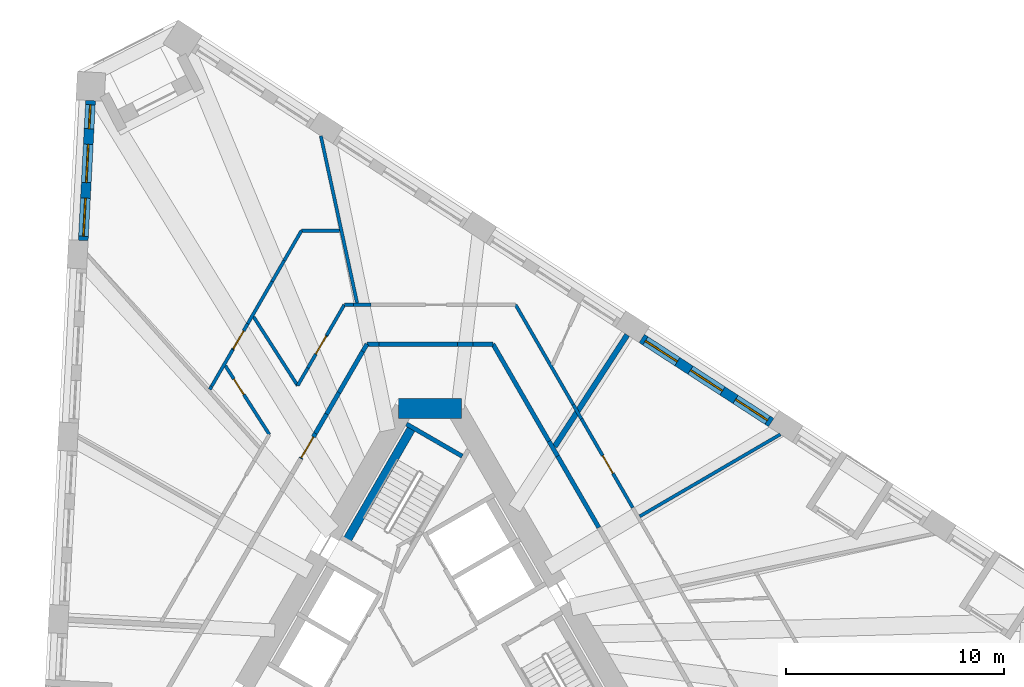
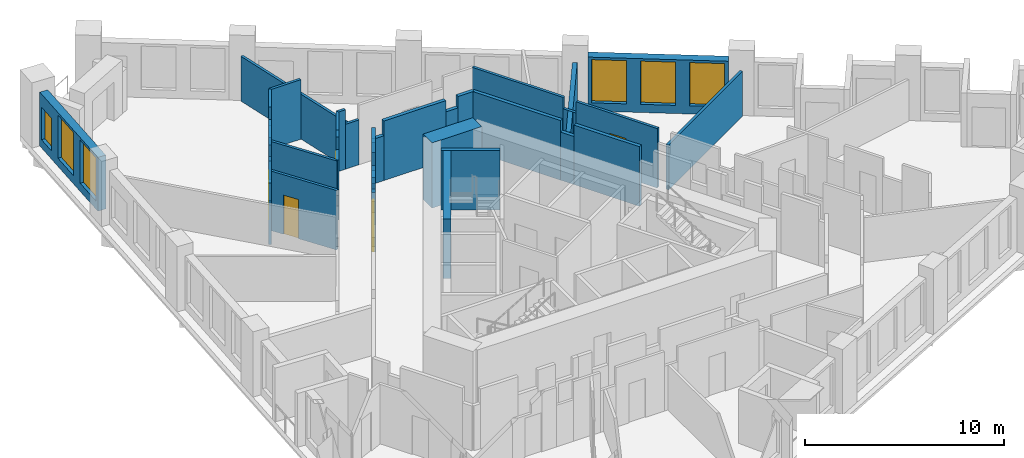
# One storey, part 7 of 12: 37 walls, 6 windows, 5 doors, 11 openings.
"""IFC4 building model written with IfcOpenShell, lengths in metres."""

from ifc_helpers import new_model, si_unit, direction, frame, frame_2d, origin, place, context, subcontext, project, spatial, polyline, rectangle, outline, extrude, material, layer, layer_set, type_object, element, fill, save


model = new_model("IFC4")

# Units and contexts
model_context = context("Model", 3, precision=1e-05, world=origin(), true_north=direction((0.0, 1.0)))
body_context = subcontext(model_context, "Body", "Model", "MODEL_VIEW")
ifc_project = project(units=[si_unit("LENGTHUNIT", "METRE"), si_unit("AREAUNIT", "SQUARE_METRE"), si_unit("VOLUMEUNIT", "CUBIC_METRE"), si_unit("PLANEANGLEUNIT", "RADIAN"), si_unit("MASSUNIT", "GRAM", prefix="KILO")], contexts=[model_context])

# Site, building, storey
site_placement = place(None, origin())
site = spatial("IfcSite", under=ifc_project, at=site_placement, CompositionType="ELEMENT")
building_placement = place(site_placement, origin())
building = spatial("IfcBuilding", under=site, at=building_placement, Name="Tramontana Tower", CompositionType="ELEMENT")
storey_placement = place(building_placement, frame((0.0, 0.0, 129.60009765625)))
storey = spatial("IfcBuildingStorey", under=building, at=storey_placement, Name="L29", CompositionType="ELEMENT", Elevation=129.60009765625)

# Walls
ifc_material_1 = material(Name="Concrete 70 MPa", Category="concrete")
ifc_layer_1 = layer(ifc_material_1, 0.89990234375)
ifc_layer_set_1 = layer_set([ifc_layer_1], Name="Core wall 900 70 MPa")
wall_type_1 = type_object("IfcWallType", Name="Core wall 900 70 MPa", PredefinedType="SHEAR", material=ifc_layer_set_1)
wall_1_placement = place(storey_placement, frame((1.443359375, 10.550048828125, 0.0), z_axis=(0.0, 0.0, 1.0), x_axis=(-1.0, 0.0, 0.0)))
element("IfcWall", 1, at=wall_1_placement, inside=storey, type_object=wall_type_1, Name="Core wall C0 L29", PredefinedType="SHEAR", context=body_context, shape_type="SweptSolid", body=[
    extrude(rectangle(XDim=2.88671875, YDim=0.89990234375, at=frame_2d((1.443359375, 0.0))), origin(), (0.0, 0.0, 1.0), 4.0),
])
ifc_material_2 = material(Name="Blockwork", Category="masonry")
ifc_layer_2 = layer(ifc_material_2, 0.199951171875)
ifc_layer_set_2 = layer_set([ifc_layer_2], Name="ENTRY WALL 200")
wall_type_2 = type_object("IfcWallType", Name="ENTRY WALL 200", PredefinedType="SOLIDWALL", material=ifc_layer_set_2)
wall_2_placement = place(storey_placement, frame((2.88671875, 13.5, 0.0), z_axis=(0.0, 0.0, 1.0), x_axis=(0.50000466804, -0.866022708674, 0.0)))
element("IfcWall", 2, at=wall_2_placement, inside=storey, type_object=wall_type_2, Name="Wall v30-ew0-0", PredefinedType="SOLIDWALL", context=body_context, shape_type="SweptSolid", body=[
    extrude(rectangle(XDim=5.14208984375, YDim=0.199951171875, at=frame_2d((2.571044921875, 0.0))), origin(), (0.0, 0.0, 1.0), 3.64990234375),
])
wall_3_placement = place(storey_placement, frame((5.457763671875, 9.046875, 0.0), z_axis=(0.0, 0.0, 1.0), x_axis=(0.499982474044, -0.866035522163, 0.0)))
element("IfcWall", 3, at=wall_3_placement, inside=storey, type_object=wall_type_2, Name="Wall v30-ew0-1", PredefinedType="SOLIDWALL", context=body_context, shape_type="SweptSolid", body=[
    extrude(rectangle(XDim=0.78564453125, YDim=0.199951171875, at=frame_2d((0.392822265625, 0.0))), origin(), (0.0, 0.0, 1.0), 2.949951171875),
])
wall_4_placement = place(storey_placement, frame((5.8505859375, 8.366455078125, 0.0), z_axis=(0.0, 0.0, 1.0), x_axis=(0.499998034377, -0.866026538634, 0.0)))
element("IfcWall", 4, at=wall_4_placement, inside=storey, type_object=wall_type_2, Name="Wall v30-ew0-2", PredefinedType="SOLIDWALL", context=body_context, shape_type="SweptSolid", body=[
    extrude(rectangle(XDim=3.783203125, YDim=0.199951171875, at=frame_2d((1.8916015625, 0.0))), origin(), (0.0, 0.0, 1.0), 3.64990234375),
])

# Wall, opening, door
wall_5_placement = place(storey_placement, frame((-5.91796875, 8.249755859375, 0.0), z_axis=(0.0, 0.0, 1.0), x_axis=(0.500028081597, 0.86600919026, 0.0)))
wall_5 = element("IfcWall", 5, at=wall_5_placement, inside=storey, type_object=wall_type_2, Name="Wall v30-ew4-7", PredefinedType="SOLIDWALL", context=body_context, shape_type="SweptSolid", body=[
    extrude(outline(polyline([(0.0, 0.0), (1.3369140625, 0.0), (1.336669921875, 2.5498046875), (0.313232421875, 2.5498046875), (0.313232421875, 3.64990234375), (0.0, 3.64990234375), (0.0, 0.0)])), frame((0.0, 0.10009765625, 0.0), z_axis=(0.0, -1.0, 0.0), x_axis=(1.0, 0.0, 0.0)), (0.0, 0.0, 1.0), 0.199951171875),
])
opening_1_placement = place(wall_5_placement, frame((0.050048828125, 0.0, 0.0)))
opening_1 = element("IfcOpeningElement", 6, at=opening_1_placement, cuts=wall_5, Name="Opening B3A-22", PredefinedType="OPENING", context=body_context, shape_type="SweptSolid", body=[
    extrude(rectangle(XDim=1.10009765625, YDim=2.39990234375, at=frame_2d((0.550048828125, 1.199951171875))), frame((0.0, 0.10986328125, 0.0), z_axis=(0.0, -1.0, 0.0), x_axis=(1.0, 0.0, 0.0)), (0.0, 0.0, 1.0), 0.219970703125),
])
ifc_material_3 = material(Name="Painted timber", Category="wood")
door_type_1 = type_object("IfcDoorType", Name="DOOR ENTRY 1100", OperationType="SINGLE_SWING_LEFT", PredefinedType="DOOR", material=ifc_material_3)
door_1_placement = place(opening_1_placement, origin())
door_1 = element("IfcDoor", 7, at=door_1_placement, inside=storey, type_object=door_type_1, Name="Door B3A-22", OperationType="SINGLE_SWING_RIGHT", OverallHeight=2.39990234375, OverallWidth=1.10009765625, PredefinedType="DOOR", context=body_context, shape_type="SweptSolid", body=[
    extrude(rectangle(XDim=1.10009765625, YDim=2.39990234375, at=frame_2d((0.550048828125, 1.199951171875))), frame((0.0, 0.02490234375, 0.0), z_axis=(0.0, -1.0, 0.0), x_axis=(1.0, 0.0, 0.0)), (0.0, 0.0, 1.0), 0.050048828125),
])
fill(opening_1, door_1)

# Walls
wall_6_placement = place(storey_placement, frame((-5.24951171875, 9.407470703125, 0.0), z_axis=(0.0, 0.0, 1.0), x_axis=(0.499991148707, 0.866030514021, 0.0)))
element("IfcWall", 8, at=wall_6_placement, inside=storey, type_object=wall_type_2, Name="Wall v30-ew4-8", PredefinedType="SOLIDWALL", context=body_context, shape_type="SweptSolid", body=[
    extrude(rectangle(XDim=1.0224609375, YDim=0.199951171875, at=frame_2d((0.51123046875, 0.0))), origin(), (0.0, 0.0, 1.0), 3.64990234375),
])
wall_7_placement = place(storey_placement, frame((-4.73828125, 10.29296875, 0.0), z_axis=(0.0, 0.0, 1.0), x_axis=(0.500001688065, 0.866024429177, 0.0)))
element("IfcWall", 9, at=wall_7_placement, inside=storey, type_object=wall_type_2, Name="Wall v30-ew4-9", PredefinedType="SOLIDWALL", context=body_context, shape_type="SweptSolid", body=[
    extrude(rectangle(XDim=1.13525390625, YDim=0.199951171875, at=frame_2d((0.567626953125, 0.0))), origin(), (0.0, 0.0, 1.0), 2.5498046875),
])
wall_8_placement = place(storey_placement, frame((-4.170654296875, 11.276123046875, 0.0), z_axis=(0.0, 0.0, 1.0), x_axis=(0.50001992892, 0.866013897511, 0.0)))
element("IfcWall", 10, at=wall_8_placement, inside=storey, type_object=wall_type_2, Name="Wall v30-ew4-10", PredefinedType="SOLIDWALL", context=body_context, shape_type="SweptSolid", body=[
    extrude(rectangle(XDim=2.1787109375, YDim=0.199951171875, at=frame_2d((1.08935546875, 0.0))), origin(), (0.0, 0.0, 1.0), 3.64990234375),
])
wall_9_placement = place(storey_placement, frame((-3.081298828125, 13.162841796875, 0.0), z_axis=(0.0, 0.0, 1.0), x_axis=(0.499849133735, 0.866112488944, 0.0)))
element("IfcWall", 11, at=wall_9_placement, inside=storey, type_object=wall_type_2, Name="Wall v30-ew4-11", PredefinedType="SOLIDWALL", context=body_context, shape_type="SweptSolid", body=[
    extrude(rectangle(XDim=0.38916015625, YDim=0.199951171875, at=frame_2d((0.194580078125, 0.0))), origin(), (0.0, 0.0, 1.0), 2.75),
])
wall_10_placement = place(storey_placement, frame((-2.88671875, 13.5, 0.0), z_axis=(0.0, 0.0, 1.0), x_axis=(1.0, 0.0, 0.0)))
element("IfcWall", 12, at=wall_10_placement, inside=storey, type_object=wall_type_2, Name="Wall v30-ew5-0", PredefinedType="SOLIDWALL", context=body_context, shape_type="SweptSolid", body=[
    extrude(rectangle(XDim=0.55322265625, YDim=0.199951171875, at=frame_2d((0.276611328125, 0.0))), origin(), (0.0, 0.0, 1.0), 2.75),
])
wall_11_placement = place(storey_placement, frame((-2.33349609375, 13.5, 0.0), z_axis=(0.0, 0.0, 1.0), x_axis=(1.0, 0.0, 0.0)))
element("IfcWall", 13, at=wall_11_placement, inside=storey, type_object=wall_type_2, Name="Wall v30-ew5-1", PredefinedType="SOLIDWALL", context=body_context, shape_type="SweptSolid", body=[
    extrude(rectangle(XDim=3.6025390625, YDim=0.199951171875, at=frame_2d((1.80126953125, 0.0))), origin(), (0.0, 0.0, 1.0), 3.64990234375),
])
wall_12_placement = place(storey_placement, frame((1.26904296875, 13.5, 0.0), z_axis=(0.0, 0.0, 1.0), x_axis=(1.0, 0.0, 0.0)))
element("IfcWall", 14, at=wall_12_placement, inside=storey, type_object=wall_type_2, Name="Wall v30-ew5-2", PredefinedType="SOLIDWALL", context=body_context, shape_type="SweptSolid", body=[
    extrude(rectangle(XDim=0.704833984375, YDim=0.199951171875, at=frame_2d((0.3525390625, 0.0))), origin(), (0.0, 0.0, 1.0), 2.949951171875),
])
wall_13_placement = place(storey_placement, frame((1.973876953125, 13.5, 0.0), z_axis=(0.0, 0.0, 1.0), x_axis=(1.0, 0.0, 0.0)))
element("IfcWall", 15, at=wall_13_placement, inside=storey, type_object=wall_type_2, Name="Wall v30-ew5-3", PredefinedType="SOLIDWALL", context=body_context, shape_type="SweptSolid", body=[
    extrude(rectangle(XDim=0.912841796875, YDim=0.199951171875, at=frame_2d((0.45654296875, 0.0))), origin(), (0.0, 0.0, 1.0), 3.64990234375),
])

# Wall, openings, windows
ifc_material_4 = material(Name="Precast concrete 60 MPa", Category="concrete")
ifc_layer_3 = layer(ifc_material_4, 0.449951171875)
ifc_layer_set_3 = layer_set([ifc_layer_3], Name="Precast concrete 60 MPa, 450 mm")
wall_type_3 = type_object("IfcWallType", Name="EW1 Stone-faced precast wall 450", PredefinedType="SOLIDWALL", material=ifc_layer_set_3)
wall_14_placement = place(storey_placement, frame((-15.5556640625, 24.66259765625, 0.0), z_axis=(0.0, 0.0, 1.0), x_axis=(-0.052313391961, -0.998630717043, 0.0)))
wall_14 = element("IfcWall", 16, at=wall_14_placement, inside=storey, type_object=wall_type_3, Name="External wall L29 face 0 bay 1", PredefinedType="SOLIDWALL", context=body_context, shape_type="SweptSolid", body=[
    extrude(rectangle(XDim=6.421630859375, YDim=0.449951171875, at=frame_2d((3.2109375, 0.0))), origin(), (0.0, 0.0, 1.0), 3.2998046875),
])
opening_2_placement = place(wall_14_placement, frame((0.1953125, 0.0, 0.5)))
opening_2 = element("IfcOpeningElement", 17, at=opening_2_placement, cuts=wall_14, Name="Opening N2L", PredefinedType="OPENING", context=body_context, shape_type="SweptSolid", body=[
    extrude(rectangle(XDim=1.10009765625, YDim=2.0, at=frame_2d((0.550048828125, 1.0))), frame((0.0, 0.23486328125, 0.0), z_axis=(0.0, -1.0, 0.0), x_axis=(1.0, 0.0, 0.0)), (0.0, 0.0, 1.0), 0.469970703125),
])
opening_3_placement = place(wall_14_placement, frame((2.0107421875, 0.0, 0.5)))
opening_3 = element("IfcOpeningElement", 18, at=opening_3_placement, cuts=wall_14, Name="Opening M2", PredefinedType="OPENING", context=body_context, shape_type="SweptSolid", body=[
    extrude(rectangle(XDim=1.75, YDim=2.64990234375, at=frame_2d((0.875, 1.324951171875))), frame((0.0, 0.23486328125, 0.0), z_axis=(0.0, -1.0, 0.0), x_axis=(1.0, 0.0, 0.0)), (0.0, 0.0, 1.0), 0.469970703125),
])
opening_4_placement = place(wall_14_placement, frame((4.476318359375, 0.0, 0.5)))
opening_4 = element("IfcOpeningElement", 19, at=opening_4_placement, cuts=wall_14, Name="Opening M2", PredefinedType="OPENING", context=body_context, shape_type="SweptSolid", body=[
    extrude(rectangle(XDim=1.75, YDim=2.64990234375, at=frame_2d((0.875, 1.324951171875))), frame((0.0, 0.23486328125, 0.0), z_axis=(0.0, -1.0, 0.0), x_axis=(1.0, 0.0, 0.0)), (0.0, 0.0, 1.0), 0.469970703125),
])
ifc_material_5 = material(Name="Aluminum frame, double glazing unit", Category="aluminium")
window_type_1 = type_object("IfcWindowType", Name="M2 Window 1.75 x 2.65", PartitioningType="SINGLE_PANEL", PredefinedType="WINDOW", material=ifc_material_5)
window_1_placement = place(opening_3_placement, origin())
window_1 = element("IfcWindow", 20, at=window_1_placement, inside=storey, type_object=window_type_1, Name="Window M2 L29 face 0 module 2", OverallHeight=2.64990234375, OverallWidth=1.75, PartitioningType="SINGLE_PANEL", PredefinedType="WINDOW", context=body_context, shape_type="SweptSolid", body=[
    extrude(rectangle(XDim=1.75, YDim=2.64990234375, at=frame_2d((0.875, 1.324951171875))), frame((0.0, 0.030029296875, 0.0), z_axis=(0.0, -1.0, 0.0), x_axis=(1.0, 0.0, 0.0)), (0.0, 0.0, 1.0), 0.06005859375),
])
fill(opening_3, window_1)
window_2_placement = place(opening_4_placement, origin())
window_2 = element("IfcWindow", 21, at=window_2_placement, inside=storey, type_object=window_type_1, Name="Window M2 L29 face 0 module 3", OverallHeight=2.64990234375, OverallWidth=1.75, PartitioningType="SINGLE_PANEL", PredefinedType="WINDOW", context=body_context, shape_type="SweptSolid", body=[
    extrude(rectangle(XDim=1.75, YDim=2.64990234375, at=frame_2d((0.875, 1.324951171875))), frame((0.0, 0.030029296875, 0.0), z_axis=(0.0, -1.0, 0.0), x_axis=(1.0, 0.0, 0.0)), (0.0, 0.0, 1.0), 0.06005859375),
])
fill(opening_4, window_2)
ifc_material_6 = material(Name="Aluminum frame, double glazing unit", Category="aluminium")
window_type_2 = type_object("IfcWindowType", Name="N2L Window 1.1 x 2", PartitioningType="SINGLE_PANEL", PredefinedType="WINDOW", material=ifc_material_6)
window_3_placement = place(opening_2_placement, origin())
window_3 = element("IfcWindow", 22, at=window_3_placement, inside=storey, type_object=window_type_2, Name="Window N2L L29 face 0 module 1", OverallHeight=2.0, OverallWidth=1.10009765625, PartitioningType="SINGLE_PANEL", PredefinedType="WINDOW", context=body_context, shape_type="SweptSolid", body=[
    extrude(rectangle(XDim=1.10009765625, YDim=2.0, at=frame_2d((0.550048828125, 1.0))), frame((0.0, 0.030029296875, 0.0), z_axis=(0.0, -1.0, 0.0), x_axis=(1.0, 0.0, 0.0)), (0.0, 0.0, 1.0), 0.06005859375),
])
fill(opening_2, window_3)

wall_15_placement = place(storey_placement, frame((15.639404296875, 9.9052734375, 0.0), z_axis=(0.0, 0.0, 1.0), x_axis=(-0.838677021821, 0.54462909679, 0.0)))
wall_15 = element("IfcWall", 23, at=wall_15_placement, inside=storey, type_object=wall_type_3, Name="External wall L29 face 2 bay 3", PredefinedType="SOLIDWALL", context=body_context, shape_type="SweptSolid", body=[
    extrude(rectangle(XDim=7.071533203125, YDim=0.449951171875, at=frame_2d((3.53564453125, 0.0))), origin(), (0.0, 0.0, 1.0), 3.2998046875),
])
opening_5_placement = place(wall_15_placement, frame((0.1953125, 0.0, 0.5)))
opening_5 = element("IfcOpeningElement", 24, at=opening_5_placement, cuts=wall_15, Name="Opening M2", PredefinedType="OPENING", context=body_context, shape_type="SweptSolid", body=[
    extrude(rectangle(XDim=1.75, YDim=2.64990234375, at=frame_2d((0.875, 1.324951171875))), frame((0.0, 0.23486328125, 0.0), z_axis=(0.0, -1.0, 0.0), x_axis=(1.0, 0.0, 0.0)), (0.0, 0.0, 1.0), 0.469970703125),
])
opening_6_placement = place(wall_15_placement, frame((2.660888671875, 0.0, 0.5)))
opening_6 = element("IfcOpeningElement", 25, at=opening_6_placement, cuts=wall_15, Name="Opening M2", PredefinedType="OPENING", context=body_context, shape_type="SweptSolid", body=[
    extrude(rectangle(XDim=1.75, YDim=2.64990234375, at=frame_2d((0.875, 1.324951171875))), frame((0.0, 0.23486328125, 0.0), z_axis=(0.0, -1.0, 0.0), x_axis=(1.0, 0.0, 0.0)), (0.0, 0.0, 1.0), 0.469970703125),
])
opening_7_placement = place(wall_15_placement, frame((5.126220703125, 0.0, 0.5)))
opening_7 = element("IfcOpeningElement", 26, at=opening_7_placement, cuts=wall_15, Name="Opening M2", PredefinedType="OPENING", context=body_context, shape_type="SweptSolid", body=[
    extrude(rectangle(XDim=1.75, YDim=2.64990234375, at=frame_2d((0.875, 1.324951171875))), frame((0.0, 0.23486328125, 0.0), z_axis=(0.0, -1.0, 0.0), x_axis=(1.0, 0.0, 0.0)), (0.0, 0.0, 1.0), 0.469970703125),
])
window_4_placement = place(opening_5_placement, origin())
window_4 = element("IfcWindow", 27, at=window_4_placement, inside=storey, type_object=window_type_1, Name="Window M2 L29 face 2 module 7", OverallHeight=2.64990234375, OverallWidth=1.75, PartitioningType="SINGLE_PANEL", PredefinedType="WINDOW", context=body_context, shape_type="SweptSolid", body=[
    extrude(rectangle(XDim=1.75, YDim=2.64990234375, at=frame_2d((0.875, 1.324951171875))), frame((0.0, 0.030029296875, 0.0), z_axis=(0.0, -1.0, 0.0), x_axis=(1.0, 0.0, 0.0)), (0.0, 0.0, 1.0), 0.06005859375),
])
fill(opening_5, window_4)
window_5_placement = place(opening_6_placement, origin())
window_5 = element("IfcWindow", 28, at=window_5_placement, inside=storey, type_object=window_type_1, Name="Window M2 L29 face 2 module 8", OverallHeight=2.64990234375, OverallWidth=1.75, PartitioningType="SINGLE_PANEL", PredefinedType="WINDOW", context=body_context, shape_type="SweptSolid", body=[
    extrude(rectangle(XDim=1.75, YDim=2.64990234375, at=frame_2d((0.875, 1.324951171875))), frame((0.0, 0.030029296875, 0.0), z_axis=(0.0, -1.0, 0.0), x_axis=(1.0, 0.0, 0.0)), (0.0, 0.0, 1.0), 0.06005859375),
])
fill(opening_6, window_5)
window_6_placement = place(opening_7_placement, origin())
window_6 = element("IfcWindow", 29, at=window_6_placement, inside=storey, type_object=window_type_1, Name="Window M2 L29 face 2 module 9", OverallHeight=2.64990234375, OverallWidth=1.75, PartitioningType="SINGLE_PANEL", PredefinedType="WINDOW", context=body_context, shape_type="SweptSolid", body=[
    extrude(rectangle(XDim=1.75, YDim=2.64990234375, at=frame_2d((0.875, 1.324951171875))), frame((0.0, 0.030029296875, 0.0), z_axis=(0.0, -1.0, 0.0), x_axis=(1.0, 0.0, 0.0)), (0.0, 0.0, 1.0), 0.06005859375),
])
fill(opening_7, window_6)

# Walls
ifc_material_7 = material(Name="Gypsum board partition")
ifc_layer_4 = layer(ifc_material_7, 0.14990234375)
ifc_layer_set_4 = layer_set([ifc_layer_4], Name="PARTITION 150")
wall_type_4 = type_object("IfcWallType", Name="PARTITION 150", PredefinedType="PARTITIONING", material=ifc_layer_set_4)
wall_16_placement = place(storey_placement, frame((-10.0927734375, 11.4189453125, 0.0), z_axis=(0.0, 0.0, 1.0), x_axis=(0.500399834964, 0.865794435861, 0.0)))
element("IfcWall", 30, at=wall_16_placement, inside=storey, type_object=wall_type_4, Name="Wall v30-pw07-0", PredefinedType="PARTITIONING", context=body_context, shape_type="SweptSolid", body=[
    extrude(rectangle(XDim=0.166259765625, YDim=0.14990234375, at=frame_2d((0.0830078125, 0.0))), origin(), (0.0, 0.0, 1.0), 2.5498046875),
])
wall_17_placement = place(storey_placement, frame((-10.009521484375, 11.56298828125, 0.0), z_axis=(0.0, 0.0, 1.0), x_axis=(0.499994660107, 0.866028486751, 0.0)))
element("IfcWall", 31, at=wall_17_placement, inside=storey, type_object=wall_type_4, Name="Wall v30-pw07-1", PredefinedType="PARTITIONING", context=body_context, shape_type="SweptSolid", body=[
    extrude(rectangle(XDim=1.94091796875, YDim=0.14990234375, at=frame_2d((0.970458984375, 0.0))), origin(), (0.0, 0.0, 1.0), 3.64990234375),
])

# Wall, opening, door
wall_18_placement = place(storey_placement, frame((-9.0390625, 13.243896484375, 0.0), z_axis=(0.0, 0.0, 1.0), x_axis=(0.499978698016, 0.866037702141, 0.0)))
wall_18 = element("IfcWall", 32, at=wall_18_placement, inside=storey, type_object=wall_type_4, Name="Wall v30-pw07-2", PredefinedType="PARTITIONING", context=body_context, shape_type="SweptSolid", body=[
    extrude(outline(polyline([(0.0, 0.0), (1.37451171875, 0.0), (1.374755859375, 2.5498046875), (0.379638671875, 2.5498046875), (0.379638671875, 3.64990234375), (0.0, 3.64990234375), (0.0, 0.0)])), frame((0.0, 0.074951171875, 0.0), z_axis=(0.0, -1.0, 0.0), x_axis=(1.0, 0.0, 0.0)), (0.0, 0.0, 1.0), 0.14990234375),
])
opening_8_placement = place(wall_18_placement, frame((0.050048828125, 0.0, 0.0)))
opening_8 = element("IfcOpeningElement", 33, at=opening_8_placement, cuts=wall_18, Name="Opening B3A-03", PredefinedType="OPENING", context=body_context, shape_type="SweptSolid", body=[
    extrude(rectangle(XDim=0.949951171875, YDim=2.39990234375, at=frame_2d((0.47509765625, 1.199951171875))), frame((0.0, 0.0849609375, 0.0), z_axis=(0.0, -1.0, 0.0), x_axis=(1.0, 0.0, 0.0)), (0.0, 0.0, 1.0), 0.169921875),
])
ifc_material_8 = material(Name="Painted timber", Category="wood")
door_type_2 = type_object("IfcDoorType", Name="DOOR ROOM 950", OperationType="SINGLE_SWING_LEFT", PredefinedType="DOOR", material=ifc_material_8)
door_2_placement = place(opening_8_placement, origin())
door_2 = element("IfcDoor", 34, at=door_2_placement, inside=storey, type_object=door_type_2, Name="Door B3A-03", OperationType="SINGLE_SWING_LEFT", OverallHeight=2.39990234375, OverallWidth=0.949951171875, PredefinedType="DOOR", context=body_context, shape_type="SweptSolid", body=[
    extrude(rectangle(XDim=0.949951171875, YDim=2.39990234375, at=frame_2d((0.47509765625, 1.199951171875))), frame((0.0, 0.02490234375, 0.0), z_axis=(0.0, -1.0, 0.0), x_axis=(1.0, 0.0, 0.0)), (0.0, 0.0, 1.0), 0.050048828125),
])
fill(opening_8, door_2)

# Walls
wall_19_placement = place(storey_placement, frame((-8.351806640625, 14.434326171875, 0.0), z_axis=(0.0, 0.0, 1.0), x_axis=(0.500040905051, 0.866001785954, 0.0)))
element("IfcWall", 35, at=wall_19_placement, inside=storey, type_object=wall_type_4, Name="Wall v30-pw07-3", PredefinedType="PARTITIONING", context=body_context, shape_type="SweptSolid", body=[
    extrude(rectangle(XDim=2.234130859375, YDim=0.14990234375, at=frame_2d((1.1171875, 0.0))), origin(), (0.0, 0.0, 1.0), 3.64990234375),
])
wall_20_placement = place(storey_placement, frame((-7.234619140625, 16.369140625, 0.0), z_axis=(0.0, 0.0, 1.0), x_axis=(0.499850094852, 0.866111934265, 0.0)))
element("IfcWall", 36, at=wall_20_placement, inside=storey, type_object=wall_type_4, Name="Wall v30-pw07-4", PredefinedType="PARTITIONING", context=body_context, shape_type="SweptSolid", body=[
    extrude(rectangle(XDim=1.103759765625, YDim=0.14990234375, at=frame_2d((0.5517578125, 0.0))), origin(), (0.0, 0.0, 1.0), 2.5498046875),
])
wall_21_placement = place(storey_placement, frame((-6.682861328125, 17.3251953125, 0.0), z_axis=(0.0, 0.0, 1.0), x_axis=(0.500108487576, 0.865962759392, 0.0)))
element("IfcWall", 37, at=wall_21_placement, inside=storey, type_object=wall_type_4, Name="Wall v30-pw07-5", PredefinedType="PARTITIONING", context=body_context, shape_type="SweptSolid", body=[
    extrude(rectangle(XDim=1.587646484375, YDim=0.14990234375, at=frame_2d((0.7939453125, 0.0))), origin(), (0.0, 0.0, 1.0), 3.64990234375),
])
wall_22_placement = place(storey_placement, frame((-8.083251953125, 14.749267578125, 0.0), z_axis=(0.0, 0.0, 1.0), x_axis=(0.539468172068, -0.842005992452, 0.0)))
element("IfcWall", 38, at=wall_22_placement, inside=storey, type_object=wall_type_4, Name="Wall v30-pw09", PredefinedType="PARTITIONING", context=body_context, shape_type="SweptSolid", body=[
    extrude(rectangle(XDim=3.74365234375, YDim=0.14990234375, at=frame_2d((1.871826171875, 0.0))), origin(), (0.0, 0.0, 1.0), 3.64990234375),
])

# Wall, opening, door
wall_23_placement = place(storey_placement, frame((-7.358642578125, 9.3544921875, 0.0), z_axis=(0.0, 0.0, 1.0), x_axis=(-0.539468172068, 0.842005992452, 0.0)))
wall_23 = element("IfcWall", 39, at=wall_23_placement, inside=storey, type_object=wall_type_4, Name="Wall v30-pw11", PredefinedType="PARTITIONING", context=body_context, shape_type="SweptSolid", body=[
    extrude(rectangle(XDim=3.74365234375, YDim=0.14990234375, at=frame_2d((1.871826171875, 0.0))), origin(), (0.0, 0.0, 1.0), 3.64990234375),
])
opening_9_placement = place(wall_23_placement, frame((2.169921875, 0.0, 0.0)))
opening_9 = element("IfcOpeningElement", 40, at=opening_9_placement, cuts=wall_23, Name="Opening B3A-02", PredefinedType="OPENING", context=body_context, shape_type="SweptSolid", body=[
    extrude(rectangle(XDim=0.85009765625, YDim=2.39990234375, at=frame_2d((0.425048828125, 1.199951171875))), frame((0.0, 0.0849609375, 0.0), z_axis=(0.0, -1.0, 0.0), x_axis=(1.0, 0.0, 0.0)), (0.0, 0.0, 1.0), 0.169921875),
])
ifc_material_9 = material(Name="Painted timber", Category="wood")
door_type_3 = type_object("IfcDoorType", Name="DOOR BATH 850", OperationType="SINGLE_SWING_LEFT", PredefinedType="DOOR", material=ifc_material_9)
door_3_placement = place(opening_9_placement, origin())
door_3 = element("IfcDoor", 41, at=door_3_placement, inside=storey, type_object=door_type_3, Name="Door B3A-02", OperationType="SINGLE_SWING_RIGHT", OverallHeight=2.39990234375, OverallWidth=0.85009765625, PredefinedType="DOOR", context=body_context, shape_type="SweptSolid", body=[
    extrude(rectangle(XDim=0.85009765625, YDim=2.39990234375, at=frame_2d((0.425048828125, 1.199951171875))), frame((0.0, 0.02490234375, 0.0), z_axis=(0.0, -1.0, 0.0), x_axis=(1.0, 0.0, 0.0)), (0.0, 0.0, 1.0), 0.050048828125),
])
fill(opening_9, door_3)

# Wall
wall_24_placement = place(storey_placement, frame((-6.063720703125, 11.59716796875, 0.0), z_axis=(0.0, 0.0, 1.0), x_axis=(0.499797962495, 0.866142018774, 0.0)))
element("IfcWall", 42, at=wall_24_placement, inside=storey, type_object=wall_type_4, Name="Wall v30-pw12-0", PredefinedType="PARTITIONING", context=body_context, shape_type="SweptSolid", body=[
    extrude(rectangle(XDim=0.93310546875, YDim=0.14990234375, at=frame_2d((0.466552734375, 0.0))), origin(), (0.0, 0.0, 1.0), 3.64990234375),
])

# Wall, opening, door
wall_25_placement = place(storey_placement, frame((-5.597412109375, 12.4052734375, 0.0), z_axis=(0.0, 0.0, 1.0), x_axis=(0.500040090343, 0.866002256377, 0.0)))
wall_25 = element("IfcWall", 43, at=wall_25_placement, inside=storey, type_object=wall_type_4, Name="Wall v30-pw12-1", PredefinedType="PARTITIONING", context=body_context, shape_type="SweptSolid", body=[
    extrude(outline(polyline([(0.0, 0.0), (1.729736328125, 0.0), (1.729736328125, 3.64990234375), (1.103759765625, 3.64990234375), (1.103759765625, 2.5498046875), (0.0, 2.5498046875), (0.0, 0.0)])), frame((0.0, 0.074951171875, 0.0), z_axis=(0.0, -1.0, 0.0), x_axis=(1.0, 0.0, 0.0)), (0.0, 0.0, 1.0), 0.14990234375),
])
opening_10_placement = place(wall_25_placement, frame((0.729736328125, 0.0, 0.0)))
opening_10 = element("IfcOpeningElement", 44, at=opening_10_placement, cuts=wall_25, Name="Opening B3A-01", PredefinedType="OPENING", context=body_context, shape_type="SweptSolid", body=[
    extrude(rectangle(XDim=0.949951171875, YDim=2.39990234375, at=frame_2d((0.47509765625, 1.199951171875))), frame((0.0, 0.0849609375, 0.0), z_axis=(0.0, -1.0, 0.0), x_axis=(1.0, 0.0, 0.0)), (0.0, 0.0, 1.0), 0.169921875),
])
door_4_placement = place(opening_10_placement, origin())
door_4 = element("IfcDoor", 45, at=door_4_placement, inside=storey, type_object=door_type_2, Name="Door B3A-01", OperationType="SINGLE_SWING_LEFT", OverallHeight=2.39990234375, OverallWidth=0.949951171875, PredefinedType="DOOR", context=body_context, shape_type="SweptSolid", body=[
    extrude(rectangle(XDim=0.949951171875, YDim=2.39990234375, at=frame_2d((0.47509765625, 1.199951171875))), frame((0.0, 0.02490234375, 0.0), z_axis=(0.0, -1.0, 0.0), x_axis=(1.0, 0.0, 0.0)), (0.0, 0.0, 1.0), 0.050048828125),
])
fill(opening_10, door_4)

# Walls
wall_26_placement = place(storey_placement, frame((-4.732421875, 13.9033203125, 0.0), z_axis=(0.0, 0.0, 1.0), x_axis=(0.499997628298, 0.866026773083, 0.0)))
element("IfcWall", 46, at=wall_26_placement, inside=storey, type_object=wall_type_4, Name="Wall v30-pw12-2", PredefinedType="PARTITIONING", context=body_context, shape_type="SweptSolid", body=[
    extrude(rectangle(XDim=1.61279296875, YDim=0.14990234375, at=frame_2d((0.806396484375, 0.0))), origin(), (0.0, 0.0, 1.0), 3.64990234375),
])
wall_27_placement = place(storey_placement, frame((-5.888916015625, 18.699951171875, 0.0), z_axis=(0.0, 0.0, 1.0), x_axis=(1.0, 0.0, 0.0)))
element("IfcWall", 47, at=wall_27_placement, inside=storey, type_object=wall_type_4, Name="Wall v30-pw13", PredefinedType="PARTITIONING", context=body_context, shape_type="SweptSolid", body=[
    extrude(rectangle(XDim=1.75341796875, YDim=0.14990234375, at=frame_2d((0.876708984375, 0.0))), origin(), (0.0, 0.0, 1.0), 3.64990234375),
])
wall_28_placement = place(storey_placement, frame((-5.0009765625, 23.041015625, 0.0), z_axis=(0.0, 0.0, 1.0), x_axis=(0.212100148987, -0.977247935173, 0.0)))
element("IfcWall", 48, at=wall_28_placement, inside=storey, type_object=wall_type_4, Name="Wall v30-pw14-0", PredefinedType="PARTITIONING", context=body_context, shape_type="SweptSolid", body=[
    extrude(rectangle(XDim=7.844482421875, YDim=0.14990234375, at=frame_2d((3.92236328125, 0.0))), origin(), (0.0, 0.0, 1.0), 2.75),
])
wall_29_placement = place(storey_placement, frame((-3.926025390625, 15.300048828125, 0.0), z_axis=(0.0, 0.0, 1.0), x_axis=(1.0, 0.0, 0.0)))
element("IfcWall", 49, at=wall_29_placement, inside=storey, type_object=wall_type_4, Name="Wall v30-pw17-0", PredefinedType="PARTITIONING", context=body_context, shape_type="SweptSolid", body=[
    extrude(rectangle(XDim=0.42333984375, YDim=0.14990234375, at=frame_2d((0.211669921875, 0.0))), origin(), (0.0, 0.0, 1.0), 3.64990234375),
])
wall_30_placement = place(storey_placement, frame((-3.502685546875, 15.300048828125, 0.0), z_axis=(0.0, 0.0, 1.0), x_axis=(1.0, 0.0, 0.0)))
element("IfcWall", 50, at=wall_30_placement, inside=storey, type_object=wall_type_4, Name="Wall v30-pw17-1", PredefinedType="PARTITIONING", context=body_context, shape_type="SweptSolid", body=[
    extrude(rectangle(XDim=0.791015625, YDim=0.14990234375, at=frame_2d((0.3955078125, 0.0))), origin(), (0.0, 0.0, 1.0), 2.75),
])
wall_31_placement = place(storey_placement, frame((3.926025390625, 15.300048828125, 0.0), z_axis=(0.0, 0.0, 1.0), x_axis=(0.499974706519, -0.86604000649, 0.0)))
element("IfcWall", 51, at=wall_31_placement, inside=storey, type_object=wall_type_4, Name="Wall v30-pw20-0", PredefinedType="PARTITIONING", context=body_context, shape_type="SweptSolid", body=[
    extrude(rectangle(XDim=5.278076171875, YDim=0.14990234375, at=frame_2d((2.63916015625, 0.0))), origin(), (0.0, 0.0, 1.0), 3.64990234375),
])
wall_32_placement = place(storey_placement, frame((6.56494140625, 10.72900390625, 0.0), z_axis=(0.0, 0.0, 1.0), x_axis=(0.500159472144, -0.86593331292, 0.0)))
element("IfcWall", 52, at=wall_32_placement, inside=storey, type_object=wall_type_4, Name="Wall v30-pw20-1", PredefinedType="PARTITIONING", context=body_context, shape_type="SweptSolid", body=[
    extrude(rectangle(XDim=0.757568359375, YDim=0.14990234375, at=frame_2d((0.37890625, 0.0))), origin(), (0.0, 0.0, 1.0), 2.949951171875),
])

# Wall, opening, door
wall_33_placement = place(storey_placement, frame((6.94384765625, 10.072998046875, 0.0), z_axis=(0.0, 0.0, 1.0), x_axis=(0.499993726502, -0.86602902576, 0.0)))
wall_33 = element("IfcWall", 53, at=wall_33_placement, inside=storey, type_object=wall_type_4, Name="Wall v30-pw20-2", PredefinedType="PARTITIONING", context=body_context, shape_type="SweptSolid", body=[
    extrude(rectangle(XDim=4.7001953125, YDim=0.14990234375, at=frame_2d((2.35009765625, 0.0))), origin(), (0.0, 0.0, 1.0), 3.64990234375),
])
opening_11_placement = place(wall_33_placement, frame((1.93994140625, 0.0, 0.0)))
opening_11 = element("IfcOpeningElement", 54, at=opening_11_placement, cuts=wall_33, Name="Opening B3A-16", PredefinedType="OPENING", context=body_context, shape_type="SweptSolid", body=[
    extrude(rectangle(XDim=0.949951171875, YDim=2.39990234375, at=frame_2d((0.47509765625, 1.199951171875))), frame((0.0, 0.0849609375, 0.0), z_axis=(0.0, -1.0, 0.0), x_axis=(1.0, 0.0, 0.0)), (0.0, 0.0, 1.0), 0.169921875),
])
door_5_placement = place(opening_11_placement, origin())
door_5 = element("IfcDoor", 55, at=door_5_placement, inside=storey, type_object=door_type_2, Name="Door B3A-16", OperationType="SINGLE_SWING_RIGHT", OverallHeight=2.39990234375, OverallWidth=0.949951171875, PredefinedType="DOOR", context=body_context, shape_type="SweptSolid", body=[
    extrude(rectangle(XDim=0.949951171875, YDim=2.39990234375, at=frame_2d((0.47509765625, 1.199951171875))), frame((0.0, 0.02490234375, 0.0), z_axis=(0.0, -1.0, 0.0), x_axis=(1.0, 0.0, 0.0)), (0.0, 0.0, 1.0), 0.050048828125),
])
fill(opening_11, door_5)

# Walls
wall_34_placement = place(storey_placement, frame((9.611572265625, 5.6025390625, 0.0), z_axis=(0.0, 0.0, 1.0), x_axis=(0.863953189991, 0.503572125425, 0.0)))
element("IfcWall", 56, at=wall_34_placement, inside=storey, type_object=wall_type_4, Name="Wall v30-pw26-0", PredefinedType="PARTITIONING", context=body_context, shape_type="SweptSolid", body=[
    extrude(rectangle(XDim=7.46630859375, YDim=0.14990234375, at=frame_2d((3.733154296875, 0.0))), origin(), (0.0, 0.0, 1.0), 2.75),
])
ifc_material_10 = material(Name="Blockwork", Category="masonry")
ifc_layer_5 = layer(ifc_material_10, 0.25)
ifc_layer_set_5 = layer_set([ifc_layer_5], Name="PARTY WALL 250")
wall_type_5 = type_object("IfcWallType", Name="PARTY WALL 250", PredefinedType="SOLIDWALL", material=ifc_layer_set_5)
wall_35_placement = place(storey_placement, frame((9.041015625, 13.921875, 0.0), z_axis=(0.0, 0.0, 1.0), x_axis=(-0.544639775338, -0.838670087174, 0.0)))
element("IfcWall", 57, at=wall_35_placement, inside=storey, type_object=wall_type_5, Name="Wall v30-pw25-0", PredefinedType="SOLIDWALL", context=body_context, shape_type="SweptSolid", body=[
    extrude(rectangle(XDim=6.106201171875, YDim=0.25, at=frame_2d((3.05322265625, 0.0))), origin(), (0.0, 0.0, 1.0), 2.949951171875),
])
ifc_material_11 = material(Name="Concrete 70 MPa", Category="concrete")
ifc_layer_6 = layer(ifc_material_11, 0.39990234375)
ifc_layer_set_6 = layer_set([ifc_layer_6], Name="Concrete 70 MPa, 400 mm")
wall_type_6 = type_object("IfcWallType", Name="RC SHAFT BACK WALL 400", PredefinedType="SOLIDWALL", material=ifc_layer_set_6)
wall_36_placement = place(storey_placement, frame((-0.766357421875, 9.7724609375, 0.0), z_axis=(0.0, 0.0, 1.0), x_axis=(-0.500009909098, -0.866019682689, 0.0)))
element("IfcWall", 58, at=wall_36_placement, inside=storey, type_object=wall_type_6, Name="Wall st1-back", PredefinedType="SOLIDWALL", context=body_context, shape_type="SweptSolid", body=[
    extrude(rectangle(XDim=6.199951171875, YDim=0.39990234375, at=frame_2d((3.10009765625, 0.0))), origin(), (0.0, 0.0, 1.0), 3.64990234375),
])
ifc_material_12 = material(Name="Concrete 70 MPa", Category="concrete")
ifc_layer_7 = layer(ifc_material_12, 0.199951171875)
ifc_layer_set_7 = layer_set([ifc_layer_7], Name="Concrete 70 MPa, 200 mm")
wall_type_7 = type_object("IfcWallType", Name="RC STAIR AND SHAFT WALL 200", PredefinedType="SOLIDWALL", material=ifc_layer_set_7)
wall_37_placement = place(storey_placement, frame((1.478515625, 8.36083984375, 0.0), z_axis=(0.0, 0.0, 1.0), x_axis=(-0.866003658127, 0.500037662692, 0.0)))
element("IfcWall", 59, at=wall_37_placement, inside=storey, type_object=wall_type_7, Name="Wall st1-far", PredefinedType="SOLIDWALL", context=body_context, shape_type="SweptSolid", body=[
    extrude(rectangle(XDim=2.949951171875, YDim=0.199951171875, at=frame_2d((1.47509765625, 0.0))), origin(), (0.0, 0.0, 1.0), 3.64990234375),
])

save(model, "model.ifc")
